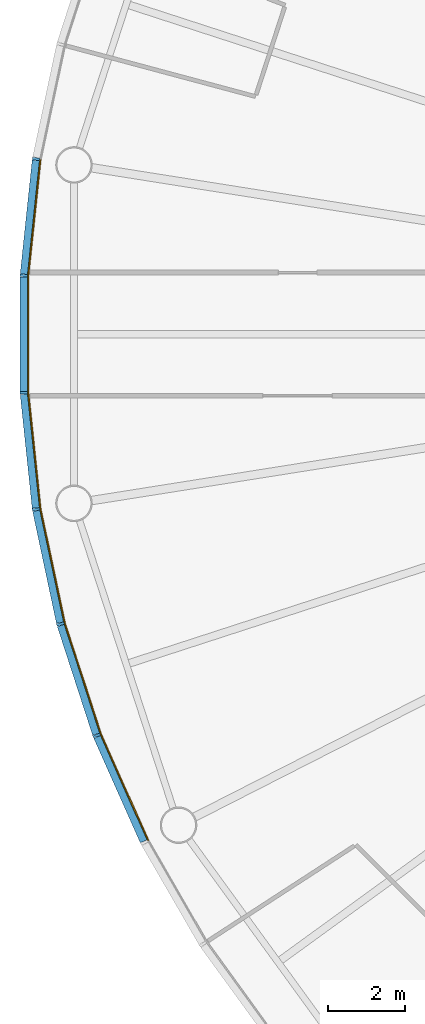
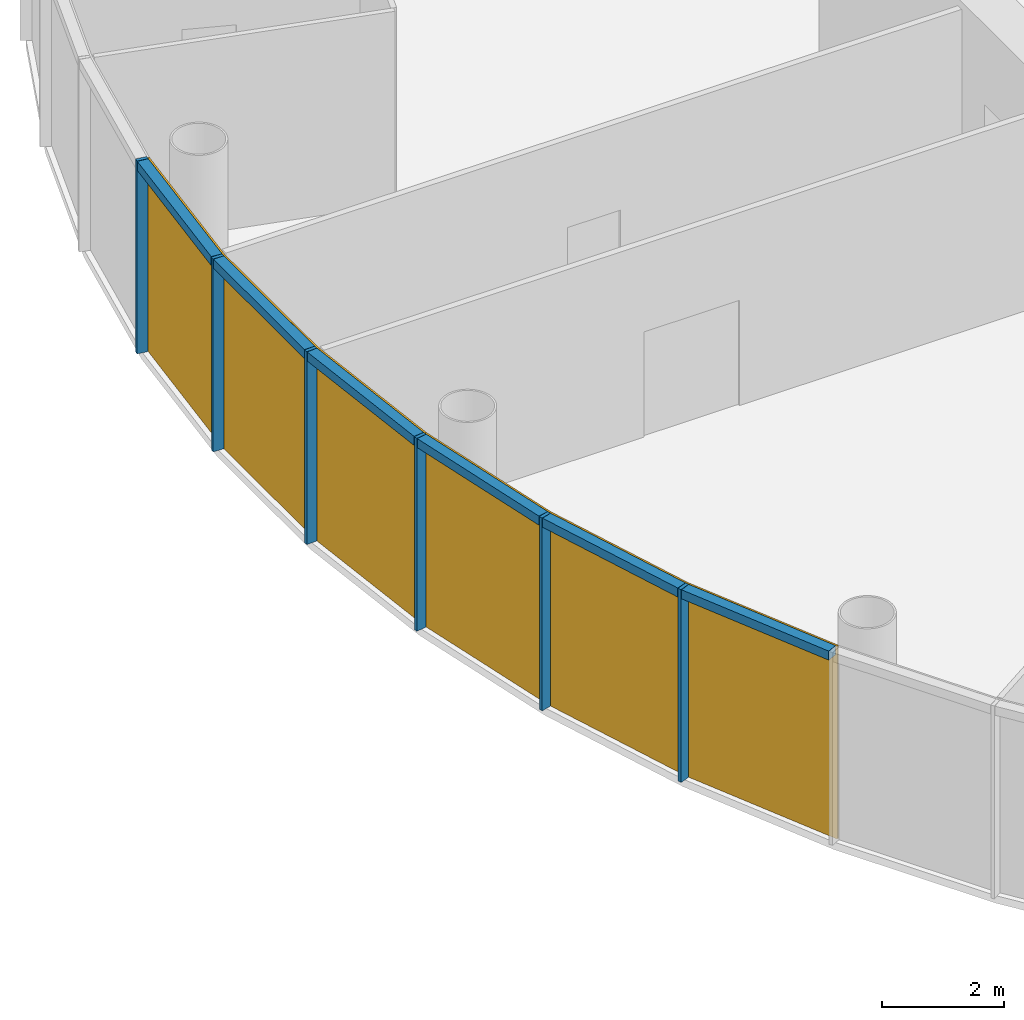
# One storey, part 8 of 13: 12 members, 2 curtain walls.
"""IFC4 building model written with IfcOpenShell, lengths in metres."""

from ifc_helpers import new_model, si_unit, direction, frame, origin, origin_2d, place, context, subcontext, project, spatial, polyline, rectangle, outline, extrude, material, layer, layer_set, material_profile, profile_set, type_object, element, aggregate, save


model = new_model("IFC4")

# Units and contexts
model_context = context("Model", 3, precision=1e-05, world=origin(), true_north=direction((0.0, 1.0)))
body_context = subcontext(model_context, "Body", "Model", "MODEL_VIEW")
ifc_project = project(units=[si_unit("LENGTHUNIT", "METRE"), si_unit("AREAUNIT", "SQUARE_METRE"), si_unit("VOLUMEUNIT", "CUBIC_METRE"), si_unit("PLANEANGLEUNIT", "RADIAN"), si_unit("MASSUNIT", "GRAM", prefix="KILO")], contexts=[model_context])

# Member
ifc_material_1 = material(Name="Anodised aluminium", Category="aluminium")
ifc_material_profile_1 = material_profile(ifc_material_1, rectangle(XDim=0.06494140625, YDim=0.195068359375, at=origin_2d()), Name="Mullion 65 x 195 mm anodised aluminium")
ifc_profile_set_1 = profile_set([ifc_material_profile_1], Name="Anodised aluminium")
member_type_1 = type_object("IfcMemberType", Name="Mullion 65 x 195 mm anodised aluminium", PredefinedType="MULLION", material=ifc_profile_set_1)
site_placement = place(None, origin())
building_placement = place(site_placement, origin())
storey_placement = place(building_placement, frame((0.0, 0.0, 278.0)))
member_1_placement = place(storey_placement, frame((61.2607421875, 84.5517578125, 0.0), z_axis=(0.0, 0.0, 1.0), x_axis=(-0.15643446504, -0.987688340595, 0.0)))
member_1 = element("IfcMember", 1, at=member_1_placement, type_object=member_type_1, Name="MULLION L63-27", PredefinedType="MULLION", context=body_context, shape_type="SweptSolid", body=[
    extrude(rectangle(XDim=0.06494140625, YDim=0.195068359375, at=origin_2d()), origin(), (0.0, 0.0, 1.0), 3.85009765625),
])

member_2_placement = place(storey_placement, frame((60.9423828125, 81.52294921875, 0.0), z_axis=(0.0, 0.0, 1.0), x_axis=(-0.052335956243, -0.998629534755, 0.0)))
member_2 = element("IfcMember", 2, at=member_2_placement, type_object=member_type_1, Name="MULLION L63-28", PredefinedType="MULLION", context=body_context, shape_type="SweptSolid", body=[
    extrude(rectangle(XDim=0.06494140625, YDim=0.195068359375, at=origin_2d()), origin(), (0.0, 0.0, 1.0), 3.85009765625),
])

member_3_placement = place(storey_placement, frame((60.9423828125, 78.47705078125, 0.0), z_axis=(0.0, 0.0, 1.0), x_axis=(0.052335956243, -0.998629534755, 0.0)))
member_3 = element("IfcMember", 3, at=member_3_placement, type_object=member_type_1, Name="MULLION L63-29", PredefinedType="MULLION", context=body_context, shape_type="SweptSolid", body=[
    extrude(rectangle(XDim=0.06494140625, YDim=0.195068359375, at=origin_2d()), origin(), (0.0, 0.0, 1.0), 3.85009765625),
])

member_4_placement = place(storey_placement, frame((61.2607421875, 75.4482421875, 0.0), z_axis=(0.0, 0.0, 1.0), x_axis=(0.15643446504, -0.987688340595, 0.0)))
member_4 = element("IfcMember", 4, at=member_4_placement, type_object=member_type_1, Name="MULLION L63-30", PredefinedType="MULLION", context=body_context, shape_type="SweptSolid", body=[
    extrude(rectangle(XDim=0.06494140625, YDim=0.195068359375, at=origin_2d()), origin(), (0.0, 0.0, 1.0), 3.85009765625),
])

member_5_placement = place(storey_placement, frame((61.89404296875, 72.468994140625, 0.0), z_axis=(0.0, 0.0, 1.0), x_axis=(0.258819045103, -0.965925826289, 0.0)))
member_5 = element("IfcMember", 5, at=member_5_placement, type_object=member_type_1, Name="MULLION L63-31", PredefinedType="MULLION", context=body_context, shape_type="SweptSolid", body=[
    extrude(rectangle(XDim=0.06494140625, YDim=0.195068359375, at=origin_2d()), origin(), (0.0, 0.0, 1.0), 3.85009765625),
])

member_6_placement = place(storey_placement, frame((62.835205078125, 69.572509765625, 0.0), z_axis=(0.0, 0.0, 1.0), x_axis=(0.358367949545, -0.933580426497, 0.0)))
member_6 = element("IfcMember", 6, at=member_6_placement, type_object=member_type_1, Name="MULLION L63-32", PredefinedType="MULLION", context=body_context, shape_type="SweptSolid", body=[
    extrude(rectangle(XDim=0.06494140625, YDim=0.195068359375, at=origin_2d()), origin(), (0.0, 0.0, 1.0), 3.85009765625),
])

ifc_material_2 = material(Name="Anodised aluminium", Category="aluminium")
ifc_material_profile_2 = material_profile(ifc_material_2, rectangle(XDim=0.195068359375, YDim=0.179931640625, at=origin_2d()), Name="Transom 180 x 195 mm anodised aluminium")
ifc_profile_set_2 = profile_set([ifc_material_profile_2], Name="Anodised aluminium")
member_type_2 = type_object("IfcMemberType", Name="Transom 180 x 195 mm anodised aluminium", PredefinedType="USERDEFINED", material=ifc_profile_set_2)
member_7_placement = place(storey_placement, frame((61.256591796875, 84.514404296875, 3.760009765625), z_axis=(-0.104466577987, -0.994528397827, 0.0), x_axis=(0.994528397827, -0.104466577987, 0.0)))
member_7 = element("IfcMember", 7, at=member_7_placement, type_object=member_type_2, Name="TRANSOM L63-27", ObjectType="TRANSOM", PredefinedType="USERDEFINED", context=body_context, shape_type="SweptSolid", body=[
    extrude(rectangle(XDim=0.195068359375, YDim=0.179931640625, at=origin_2d()), origin(), (0.0, 0.0, 1.0), 2.970458984375),
])

member_8_placement = place(storey_placement, frame((60.942138671875, 81.4853515625, 3.760009765625), z_axis=(0.0, -1.0, 0.0), x_axis=(1.0, 0.0, 0.0)))
member_8 = element("IfcMember", 8, at=member_8_placement, type_object=member_type_2, Name="TRANSOM L63-28", ObjectType="TRANSOM", PredefinedType="USERDEFINED", context=body_context, shape_type="SweptSolid", body=[
    extrude(rectangle(XDim=0.195068359375, YDim=0.179931640625, at=origin_2d()), origin(), (0.0, 0.0, 1.0), 2.970703125),
])

member_9_placement = place(storey_placement, frame((60.9462890625, 78.439697265625, 3.760009765625), z_axis=(0.104466577987, -0.994528397827, 0.0), x_axis=(0.994528397827, 0.104466577987, 0.0)))
member_9 = element("IfcMember", 9, at=member_9_placement, type_object=member_type_2, Name="TRANSOM L63-29", ObjectType="TRANSOM", PredefinedType="USERDEFINED", context=body_context, shape_type="SweptSolid", body=[
    extrude(rectangle(XDim=0.195068359375, YDim=0.179931640625, at=origin_2d()), origin(), (0.0, 0.0, 1.0), 2.970458984375),
])

member_10_placement = place(storey_placement, frame((61.268310546875, 75.411376953125, 3.760009765625), z_axis=(0.207940342877, -0.978141510112, 0.0), x_axis=(0.978141510112, 0.207940342877, 0.0)))
member_10 = element("IfcMember", 10, at=member_10_placement, type_object=member_type_2, Name="TRANSOM L63-30", ObjectType="TRANSOM", PredefinedType="USERDEFINED", context=body_context, shape_type="SweptSolid", body=[
    extrude(rectangle(XDim=0.195068359375, YDim=0.179931640625, at=origin_2d()), origin(), (0.0, 0.0, 1.0), 2.970458984375),
])

member_11_placement = place(storey_placement, frame((61.905517578125, 72.43310546875, 3.760009765625), z_axis=(0.309043326415, -0.951047960094, 0.0), x_axis=(0.951047960094, 0.309043326415, 0.0)))
member_11 = element("IfcMember", 11, at=member_11_placement, type_object=member_type_2, Name="TRANSOM L63-31", ObjectType="TRANSOM", PredefinedType="USERDEFINED", context=body_context, shape_type="SweptSolid", body=[
    extrude(rectangle(XDim=0.195068359375, YDim=0.179931640625, at=origin_2d()), origin(), (0.0, 0.0, 1.0), 2.970458984375),
])

member_12_placement = place(storey_placement, frame((62.850341796875, 69.5380859375, 3.760009765625), z_axis=(0.406725527369, -0.913550406593, 0.0), x_axis=(0.913550406593, 0.406725527369, 0.0)))
member_12 = element("IfcMember", 12, at=member_12_placement, type_object=member_type_2, Name="TRANSOM L63-32", ObjectType="TRANSOM", PredefinedType="USERDEFINED", context=body_context, shape_type="SweptSolid", body=[
    extrude(rectangle(XDim=0.195068359375, YDim=0.179931640625, at=origin_2d()), origin(), (0.0, 0.0, 1.0), 2.970703125),
])

# Site, building, storey
site = spatial("IfcSite", under=ifc_project, at=site_placement, CompositionType="ELEMENT")
building = spatial("IfcBuilding", under=site, at=building_placement, Name="Entoto Ring Tower", CompositionType="ELEMENT")
storey = spatial("IfcBuildingStorey", under=building, at=storey_placement, Name="L63", CompositionType="ELEMENT", Elevation=278.0)

# Curtain wall
ifc_material_3 = material(Name="Clear low-iron glass", Category="glass")
ifc_layer = layer(ifc_material_3, 0.033935546875)
ifc_layer_set = layer_set([ifc_layer], Name="Clear low-iron glass")
curtain_wall_type = type_object("IfcCurtainWallType", Name="Curtain wall system CW5 glazing 34 mm", PredefinedType="NOTDEFINED", material=ifc_layer_set)
curtain_wall_1_placement = place(storey_placement, origin())
curtain_wall_1 = element("IfcCurtainWall", 13, at=curtain_wall_1_placement, inside=storey, type_object=curtain_wall_type, Name="CW5 L63-10", PredefinedType="NOTDEFINED", context=body_context, shape_type="SweptSolid", body=[
    extrude(outline(polyline([(61.35693359375, 84.53662109375), (61.039794921875, 81.517822265625), (61.039794921875, 78.482177734375), (61.35693359375, 75.46337890625), (61.390625, 75.46875), (61.07373046875, 78.484130859375), (61.07373046875, 81.515869140625), (61.390625, 84.53125), (61.35693359375, 84.53662109375)])), origin(), (0.0, 0.0, 1.0), 3.85009765625),
])

aggregate(curtain_wall_1, [member_1, member_2, member_3, member_7, member_8, member_9])

curtain_wall_2_placement = place(storey_placement, origin())
curtain_wall_2 = element("IfcCurtainWall", 14, at=curtain_wall_2_placement, inside=storey, type_object=curtain_wall_type, Name="CW5 L63-11", PredefinedType="NOTDEFINED", context=body_context, shape_type="SweptSolid", body=[
    extrude(outline(polyline([(61.35693359375, 75.46337890625), (61.988037109375, 72.494140625), (62.92626953125, 69.607421875), (64.160888671875, 66.834228515625), (64.191162109375, 66.849853515625), (62.9580078125, 69.61962890625), (62.02099609375, 72.503173828125), (61.390625, 75.46875), (61.35693359375, 75.46337890625)])), origin(), (0.0, 0.0, 1.0), 3.85009765625),
])

aggregate(curtain_wall_2, [member_4, member_5, member_6, member_10, member_11, member_12])

save(model, "model.ifc")
